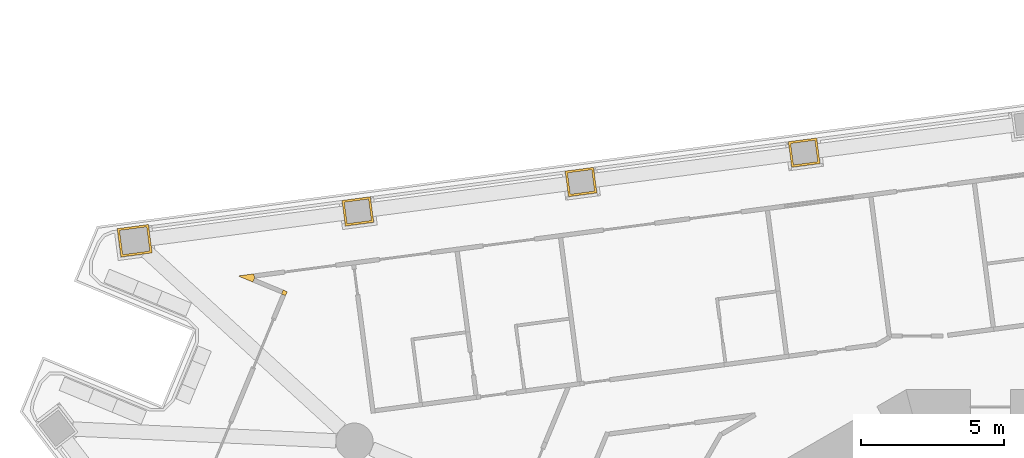
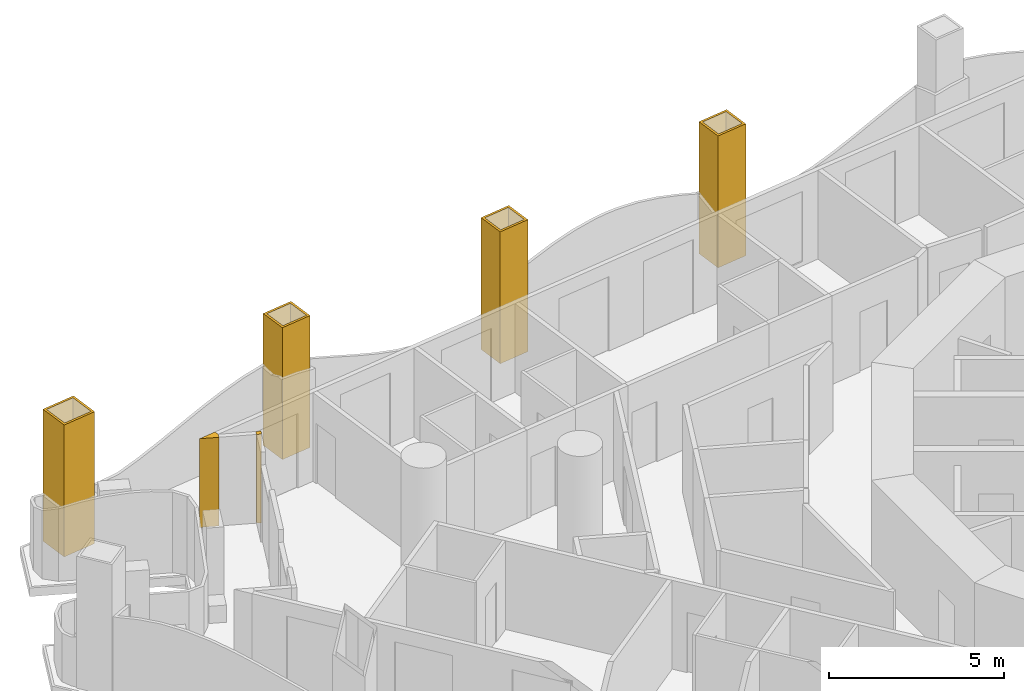
# One storey, part 16 of 19: 6 coverings.
"""IFC4 building model written with IfcOpenShell, lengths in metres."""

from ifc_helpers import new_model, si_unit, direction, frame, origin, place, context, subcontext, project, spatial, polyline, outline, extrude, material, layer, layer_set, type_object, element, save


model = new_model("IFC4")

# Units and contexts
model_context = context("Model", 3, precision=1e-05, world=origin(), true_north=direction((0.0, 1.0)))
body_context = subcontext(model_context, "Body", "Model", "MODEL_VIEW")
ifc_project = project(units=[si_unit("LENGTHUNIT", "METRE"), si_unit("AREAUNIT", "SQUARE_METRE"), si_unit("VOLUMEUNIT", "CUBIC_METRE"), si_unit("PLANEANGLEUNIT", "RADIAN"), si_unit("MASSUNIT", "GRAM", prefix="KILO")], contexts=[model_context])

# Site, building, storey
site_placement = place(None, origin())
site = spatial("IfcSite", under=ifc_project, at=site_placement, CompositionType="ELEMENT")
building_placement = place(site_placement, origin())
building = spatial("IfcBuilding", under=site, at=building_placement, Name="Trine Commons Tower", CompositionType="ELEMENT")
storey_placement = place(building_placement, frame((0.0, 0.0, 79.199951171875)))
storey = spatial("IfcBuildingStorey", under=building, at=storey_placement, Name="L19", CompositionType="ELEMENT", Elevation=79.199951171875)

# Coverings
ifc_material_1 = material(Name="Aluminium-framed insulated wall panel", Category="aluminium")
ifc_layer_1 = layer(ifc_material_1, 0.14990234375)
ifc_layer_set_1 = layer_set([ifc_layer_1], Name="Aluminium-framed insulated wall panel")
covering_type_1 = type_object("IfcCoveringType", Name="Glazing corner post, aluminium", PredefinedType="CLADDING", material=ifc_layer_set_1)
covering_1_placement = place(storey_placement, origin())
element("IfcCovering", 1, at=covering_1_placement, inside=storey, type_object=covering_type_1, Name="Glazing corner post 2-03", PredefinedType="CLADDING", context=body_context, shape_type="SweptSolid", body=[
    extrude(outline(polyline([(55.384521484375, 76.79833984375), (55.44189453125, 76.93701171875), (55.30322265625, 76.994384765625), (55.245849609375, 76.855712890625), (55.384521484375, 76.79833984375)])), origin(), (0.0, 0.0, 1.0), 3.10009765625),
])
covering_2_placement = place(storey_placement, origin())
element("IfcCovering", 2, at=covering_2_placement, inside=storey, type_object=covering_type_1, Name="Glazing corner post 2-04", PredefinedType="CLADDING", context=body_context, shape_type="SweptSolid", body=[
    extrude(outline(polyline([(54.242919921875, 77.271240234375), (54.30029296875, 77.409912109375), (54.280517578125, 77.55859375), (53.7255859375, 77.485595703125), (54.242919921875, 77.271240234375)])), origin(), (0.0, 0.0, 1.0), 3.10009765625),
])
ifc_material_2 = material(Name="Limestone, honed", Category="masonry")
ifc_layer_2 = layer(ifc_material_2, 0.074951171875)
ifc_layer_set_2 = layer_set([ifc_layer_2], Name="Limestone, honed")
covering_type_2 = type_object("IfcCoveringType", Name="Limestone column cladding 75", PredefinedType="CLADDING", material=ifc_layer_set_2)
covering_3_placement = place(storey_placement, origin())
element("IfcCovering", 3, at=covering_3_placement, inside=storey, type_object=covering_type_2, Name="Limestone pier cladding 2-09", PredefinedType="CLADDING", context=body_context, shape_type="SweptSolid", body=[
    extrude(outline(polyline([(50.726806640625, 78.291015625), (50.59619140625, 79.2822265625), (49.505615234375, 79.138671875), (49.635986328125, 78.147216796875), (50.726806640625, 78.291015625)]), holes=[polyline([(50.642578125, 78.35546875), (50.531494140625, 79.1982421875), (49.589599609375, 79.07421875), (49.70068359375, 78.2314453125), (50.642578125, 78.35546875)])]), origin(), (0.0, 0.0, 1.0), 4.609619140625),
])
covering_4_placement = place(storey_placement, origin())
element("IfcCovering", 4, at=covering_4_placement, inside=storey, type_object=covering_type_2, Name="Limestone pier cladding 2-10", PredefinedType="CLADDING", context=body_context, shape_type="SweptSolid", body=[
    extrude(outline(polyline([(58.4638671875, 79.360107421875), (58.34619140625, 80.252197265625), (57.354736328125, 80.121826171875), (57.472412109375, 79.2294921875), (58.4638671875, 79.360107421875)]), holes=[polyline([(58.379638671875, 79.424560546875), (58.28173828125, 80.168212890625), (57.43896484375, 80.05712890625), (57.536865234375, 79.313720703125), (58.379638671875, 79.424560546875)])]), origin(), (0.0, 0.0, 1.0), 4.609619140625),
])
covering_5_placement = place(storey_placement, origin())
element("IfcCovering", 5, at=covering_5_placement, inside=storey, type_object=covering_type_2, Name="Limestone pier cladding 2-11", PredefinedType="CLADDING", context=body_context, shape_type="SweptSolid", body=[
    extrude(outline(polyline([(66.257080078125, 80.385986328125), (66.1396484375, 81.2783203125), (65.148193359375, 81.147705078125), (65.265625, 80.255615234375), (66.257080078125, 80.385986328125)]), holes=[polyline([(66.1728515625, 80.45068359375), (66.074951171875, 81.194091796875), (65.232421875, 81.083251953125), (65.330078125, 80.339599609375), (66.1728515625, 80.45068359375)])]), origin(), (0.0, 0.0, 1.0), 4.609619140625),
])
covering_6_placement = place(storey_placement, origin())
element("IfcCovering", 6, at=covering_6_placement, inside=storey, type_object=covering_type_2, Name="Limestone pier cladding 2-12", PredefinedType="CLADDING", context=body_context, shape_type="SweptSolid", body=[
    extrude(outline(polyline([(74.05029296875, 81.412109375), (73.932861328125, 82.30419921875), (72.94140625, 82.173828125), (73.058837890625, 81.281494140625), (74.05029296875, 81.412109375)]), holes=[polyline([(73.96630859375, 81.4765625), (73.868408203125, 82.22021484375), (73.025634765625, 82.109130859375), (73.12353515625, 81.365478515625), (73.96630859375, 81.4765625)])]), origin(), (0.0, 0.0, 1.0), 4.609619140625),
])

save(model, "model.ifc")
